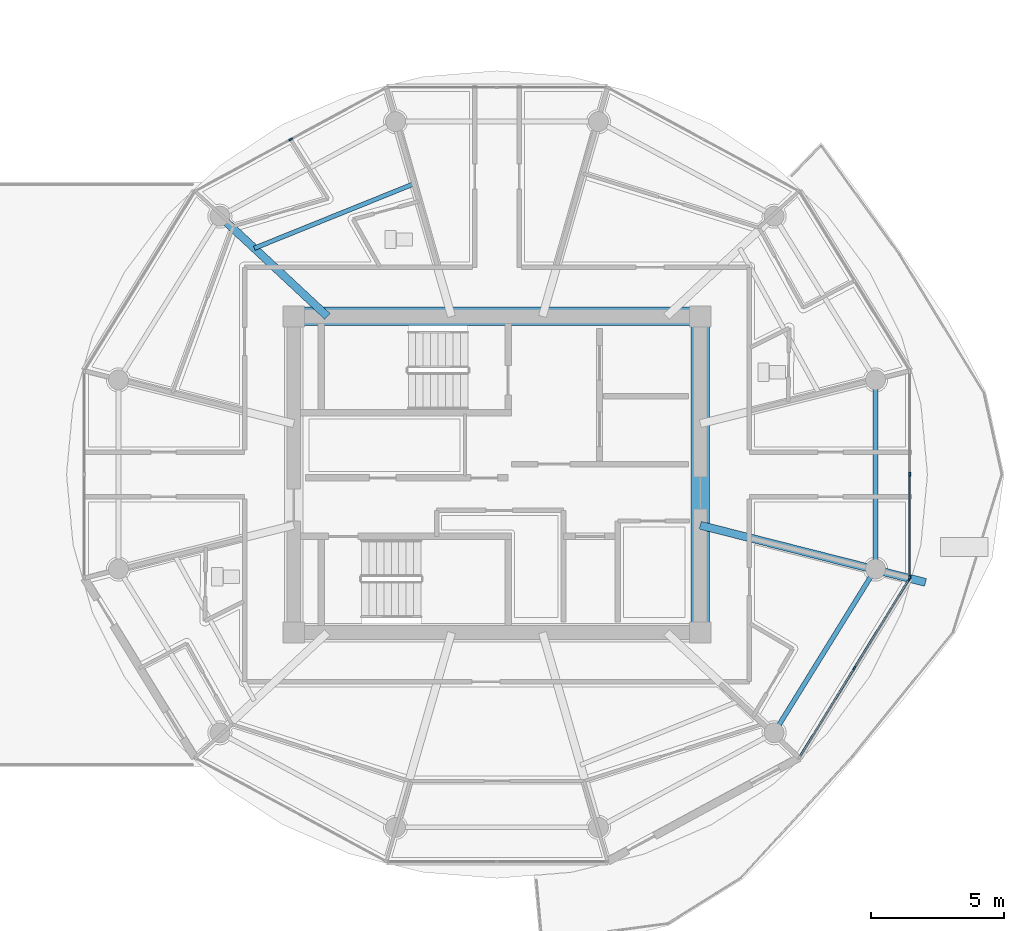
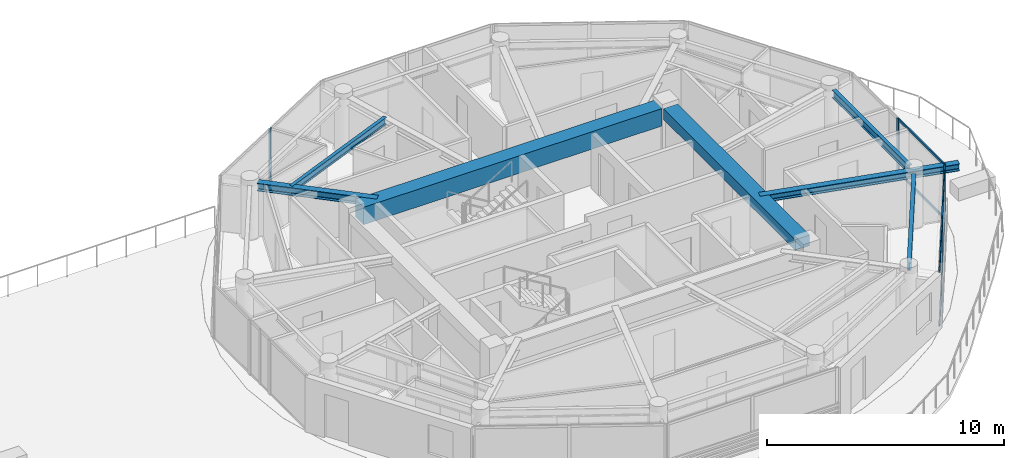
# One storey, part 9 of 30: 11 members, 7 beams, 3 elements without a shape of their own.
"""IFC4 building model written with IfcOpenShell, lengths in metres."""

from ifc_helpers import new_model, si_unit, direction, frame, origin, origin_2d, place, context, subcontext, project, spatial, rectangle, i_section, extrude, source, transform, mapped, material, layer, layer_set, material_profile, profile_set, type_object, type_shapes, element, aggregate, save


model = new_model("IFC4")

# Units and contexts
model_context = context("Model", 3, precision=1e-05, world=origin(), true_north=direction((0.0, 1.0)))
body_context = subcontext(model_context, "Body", "Model", "MODEL_VIEW")
ifc_project = project(units=[si_unit("LENGTHUNIT", "METRE"), si_unit("AREAUNIT", "SQUARE_METRE"), si_unit("VOLUMEUNIT", "CUBIC_METRE"), si_unit("PLANEANGLEUNIT", "RADIAN"), si_unit("MASSUNIT", "GRAM", prefix="KILO")], contexts=[model_context])

# Site, building, storey
site_placement = place(None, origin())
site = spatial("IfcSite", under=ifc_project, at=site_placement, CompositionType="ELEMENT")
building_placement = place(site_placement, origin())
building = spatial("IfcBuilding", under=site, at=building_placement, Name="Norrkilde Senior Care Towers", CompositionType="ELEMENT")
storey_placement = place(building_placement, frame((0.0, 0.0, 232.199951171875)))
storey = spatial("IfcBuildingStorey", under=building, at=storey_placement, Name="L72", CompositionType="ELEMENT", Elevation=232.199951171875)

# Beams
ifc_material_1 = material(Name="Concrete C60/75", Category="concrete")
ifc_material_profile_1 = material_profile(ifc_material_1, rectangle(XDim=0.699951171875, YDim=0.89990234375, at=origin_2d()), Name="RC BM 700x900")
ifc_profile_set_1 = profile_set([ifc_material_profile_1], Name="Concrete C60/75")
beam_type_1 = type_object("IfcBeamType", Name="Core Coupling Girder 700x900", PredefinedType="USERDEFINED", material=ifc_profile_set_1)
shared_shape_1 = source(origin(), body_context, "Body", "SweptSolid", [
    extrude(rectangle(XDim=0.699951171875, YDim=0.89990234375, at=origin_2d()), origin(), (0.0, 0.0, 1.0), 14.5400390625),
])
type_shapes(beam_type_1, [shared_shape_1])
beam_1_placement = place(storey_placement, frame((20.72998046875, 5.949951171875, 2.360107421875), z_axis=(1.0, 0.0, 0.0), x_axis=(0.0, 1.0, 0.0)))
element("IfcBeam", 1, at=beam_1_placement, inside=storey, type_object=beam_type_1, Name="L72 Core E N Coupling Girder", ObjectType="GIRDER", PredefinedType="USERDEFINED", context=body_context, shape_type="MappedRepresentation", body=[
    mapped(shared_shape_1, transform((0.0, 0.0, 0.0), x_axis=(1.0, 0.0, 0.0), y_axis=(0.0, 1.0, 0.0), z_axis=(0.0, 0.0, 1.0), scale=1.0)),
])
ifc_material_profile_2 = material_profile(ifc_material_1, rectangle(XDim=0.699951171875, YDim=0.550048828125, at=origin_2d()), Name="RC BM 700x550")
ifc_profile_set_2 = profile_set([ifc_material_profile_2], Name="Concrete C60/75")
beam_type_2 = type_object("IfcBeamType", Name="Core Portal Coupling Beam 700x550", PredefinedType="USERDEFINED", material=ifc_profile_set_2)
shared_shape_2 = source(origin(), body_context, "Body", "SweptSolid", [
    extrude(rectangle(XDim=0.699951171875, YDim=0.550048828125, at=origin_2d()), origin(), (0.0, 0.0, 1.0), 11.14013671875),
])
type_shapes(beam_type_2, [shared_shape_2])
beam_2_placement = place(storey_placement, frame((35.64990234375, -5.570068359375, 2.53515625), z_axis=(0.0, 1.0, 0.0), x_axis=(-1.0, 0.0, 0.0)))
element("IfcBeam", 2, at=beam_2_placement, inside=storey, type_object=beam_type_2, Name="L72 Core E E Coupling Girder", ObjectType="GIRDER", PredefinedType="USERDEFINED", context=body_context, shape_type="MappedRepresentation", body=[
    mapped(shared_shape_2, transform((0.0, 0.0, 0.0), x_axis=(1.0, 0.0, 0.0), y_axis=(0.0, 1.0, 0.0), z_axis=(0.0, 0.0, 1.0), scale=1.0)),
])
ifc_material_2 = material(Name="Steel S355", Category="steel")
ifc_material_profile_3 = material_profile(ifc_material_2, i_section(OverallWidth=0.179931640625, OverallDepth=0.39990234375, WebThickness=0.008544921875, FlangeThickness=0.013427734375, FilletRadius=0.02099609375, at=origin_2d()), Name="IPE 400")
ifc_profile_set_3 = profile_set([ifc_material_profile_3], Name="Steel S355")
beam_type_3 = type_object("IfcBeamType", Name="Perimeter Ring Spandrel Z4 IPE400", PredefinedType="SPANDREL", material=ifc_profile_set_3)
shared_shape_3 = source(origin(), body_context, "Body", "SweptSolid", [
    extrude(i_section(OverallWidth=0.179931640625, OverallDepth=0.39990234375, WebThickness=0.008544921875, FlangeThickness=0.013427734375, FilletRadius=0.02099609375, at=origin_2d()), origin(), (0.0, 0.0, 1.0), 6.58056640625),
])
beam_3_placement = place(storey_placement, frame((38.606201171875, -9.43798828125, 2.610107421875), z_axis=(0.526529583789, 0.850156807533, 0.0), x_axis=(-0.850156807533, 0.526529583789, 0.0)))
element("IfcBeam", 3, at=beam_3_placement, inside=storey, type_object=beam_type_3, Name="L72 Drum E Perimeter Spandrel 11", PredefinedType="SPANDREL", context=body_context, shape_type="MappedRepresentation", body=[
    mapped(shared_shape_3, transform((0.0, 0.0, 0.0), x_axis=(1.0, 0.0, 0.0), y_axis=(0.0, 1.0, 0.0), z_axis=(0.0, 0.0, 1.0), scale=1.0)),
])
ifc_material_profile_4 = material_profile(ifc_material_2, i_section(OverallWidth=0.300048828125, OverallDepth=0.39990234375, WebThickness=0.013427734375, FlangeThickness=0.02392578125, FilletRadius=0.027099609375, at=origin_2d()), Name="HEB 400")
ifc_profile_set_4 = profile_set([ifc_material_profile_4], Name="Steel S355")
beam_type_4 = type_object("IfcBeamType", Name="Radial Floor Beam Z4 HEB400", PredefinedType="BEAM", material=ifc_profile_set_4)
shared_shape_4 = source(origin(), body_context, "Body", "SweptSolid", [
    extrude(i_section(OverallWidth=0.300048828125, OverallDepth=0.39990234375, WebThickness=0.013427734375, FlangeThickness=0.02392578125, FilletRadius=0.027099609375, at=origin_2d()), origin(), (0.0, 0.0, 1.0), 5.197998046875),
])
type_shapes(beam_type_4, [shared_shape_4])
beam_4_placement = place(storey_placement, frame((21.6171875, 5.949951171875, 2.610107421875), z_axis=(-0.731448749334, 0.681896419625, 0.0), x_axis=(-0.681896419625, -0.731448749334, 0.0)))
element("IfcBeam", 4, at=beam_4_placement, inside=storey, type_object=beam_type_4, Name="L72 Drum E Radial Floor Beam 05", PredefinedType="BEAM", context=body_context, shape_type="MappedRepresentation", body=[
    mapped(shared_shape_4, transform((0.0, 0.0, 0.0), x_axis=(1.0, 0.0, 0.0), y_axis=(0.0, 1.0, 0.0), z_axis=(0.0, 0.0, 1.0), scale=1.0)),
])
shared_shape_5 = source(origin(), body_context, "Body", "SweptSolid", [
    extrude(i_section(OverallWidth=0.179931640625, OverallDepth=0.39990234375, WebThickness=0.008544921875, FlangeThickness=0.013427734375, FilletRadius=0.02099609375, at=origin_2d()), origin(), (0.0, 0.0, 1.0), 6.44775390625),
])
type_shapes(beam_type_3, [shared_shape_3, shared_shape_5])
beam_5_placement = place(storey_placement, frame((42.247314453125, -3.223876953125, 2.610107421875), z_axis=(0.0, 1.0, 0.0), x_axis=(-1.0, 0.0, 0.0)))
element("IfcBeam", 5, at=beam_5_placement, inside=storey, type_object=beam_type_3, Name="L72 Drum E Perimeter Spandrel 12", PredefinedType="SPANDREL", context=body_context, shape_type="MappedRepresentation", body=[
    mapped(shared_shape_5, transform((0.0, 0.0, 0.0), x_axis=(1.0, 0.0, 0.0), y_axis=(0.0, 1.0, 0.0), z_axis=(0.0, 0.0, 1.0), scale=1.0)),
])
ifc_material_profile_5 = material_profile(ifc_material_2, i_section(OverallWidth=0.169921875, OverallDepth=0.360107421875, WebThickness=0.008056640625, FlangeThickness=0.0126953125, FilletRadius=0.01806640625, at=origin_2d()), Name="IPE 360")
ifc_profile_set_5 = profile_set([ifc_material_profile_5], Name="Steel S355")
beam_type_5 = type_object("IfcBeamType", Name="Secondary Floor Joist IPE360", PredefinedType="JOIST", material=ifc_profile_set_5)
shared_shape_6 = source(origin(), body_context, "Body", "SweptSolid", [
    extrude(i_section(OverallWidth=0.169921875, OverallDepth=0.360107421875, WebThickness=0.008056640625, FlangeThickness=0.0126953125, FilletRadius=0.01806640625, at=origin_2d()), origin(), (0.0, 0.0, 1.0), 6.461669921875),
])
type_shapes(beam_type_5, [shared_shape_6])
beam_6_placement = place(storey_placement, frame((24.856689453125, 10.935302734375, 2.630126953125), z_axis=(-0.927225942298, -0.374502405772, 0.0), x_axis=(0.374502405772, -0.927225942298, 0.0)))
element("IfcBeam", 6, at=beam_6_placement, inside=storey, type_object=beam_type_5, Name="L72 Drum E Secondary Floor Joist 2", PredefinedType="JOIST", context=body_context, shape_type="MappedRepresentation", body=[
    mapped(shared_shape_6, transform((0.0, 0.0, 0.0), x_axis=(1.0, 0.0, 0.0), y_axis=(0.0, 1.0, 0.0), z_axis=(0.0, 0.0, 1.0), scale=1.0)),
])
ifc_material_profile_6 = material_profile(ifc_material_2, i_section(OverallWidth=0.300048828125, OverallDepth=0.360107421875, WebThickness=0.012451171875, FlangeThickness=0.0224609375, FilletRadius=0.027099609375, at=origin_2d()), Name="HEB 360")
ifc_profile_set_6 = profile_set([ifc_material_profile_6], Name="Steel S355")
beam_type_6 = type_object("IfcBeamType", Name="Balcony Crest Cantilever Rib HEB360", PredefinedType="BEAM", material=ifc_profile_set_6)
shared_shape_7 = source(origin(), body_context, "Body", "SweptSolid", [
    extrude(i_section(OverallWidth=0.300048828125, OverallDepth=0.360107421875, WebThickness=0.012451171875, FlangeThickness=0.0224609375, FilletRadius=0.027099609375, at=origin_2d()), origin(), (0.0, 0.0, 1.0), 8.749755859375),
])
type_shapes(beam_type_6, [shared_shape_7])
beam_7_placement = place(storey_placement, frame((35.64990234375, -1.910888671875, 2.630126953125), z_axis=(0.969266368231, -0.246013632584, 0.0), x_axis=(0.246013632584, 0.969266368231, 0.0)))
element("IfcBeam", 7, at=beam_7_placement, inside=storey, type_object=beam_type_6, Name="L72 Drum E Balcony Cantilever Rib", PredefinedType="BEAM", context=body_context, shape_type="MappedRepresentation", body=[
    mapped(shared_shape_7, transform((0.0, 0.0, 0.0), x_axis=(1.0, 0.0, 0.0), y_axis=(0.0, 1.0, 0.0), z_axis=(0.0, 0.0, 1.0), scale=1.0)),
])

# Curtain wall, member
ifc_material_3 = material(Name="Triple Low-E Insulated Glazing", Category="glass")
ifc_layer = layer(ifc_material_3, 0.18505859375)
ifc_layer_set = layer_set([ifc_layer], Name="Triple Low-E Insulated Glazing")
curtain_wall_type = type_object("IfcCurtainWallType", Name="CW6 Zone 4 Crown Pavilion Curtain Wall", PredefinedType="NOTDEFINED", material=ifc_layer_set)
curtain_wall_1_placement = place(storey_placement, origin())
curtain_wall_1 = element("IfcCurtainWall", 8, at=curtain_wall_1_placement, inside=storey, type_object=curtain_wall_type, Name="L72 Drum E Curtain Wall 03", PredefinedType="NOTDEFINED")
ifc_material_4 = material(Name="Anodised Aluminium", Category="aluminium")
ifc_material_profile_7 = material_profile(ifc_material_4, rectangle(XDim=0.06494140625, YDim=0.14990234375, at=origin_2d()), Name="ALU MULL 65x150")
ifc_profile_set_7 = profile_set([ifc_material_profile_7], Name="Anodised Aluminium")
member_type_1 = type_object("IfcMemberType", Name="Curtain Wall Mullion Z3-Z4 65x150", PredefinedType="MULLION", material=ifc_profile_set_7)
shared_shape_8 = source(origin(), body_context, "Body", "SweptSolid", [
    extrude(rectangle(XDim=0.06494140625, YDim=0.14990234375, at=origin_2d()), origin(), (0.0, 0.0, 1.0), 2.81005859375),
])
type_shapes(member_type_1, [shared_shape_8])
member_1_placement = place(storey_placement, frame((20.23388671875, 12.61474609375, 0.0), z_axis=(0.0, 0.0, 1.0), x_axis=(-0.476132676136, 0.879373455772, 0.0)))
member_1 = element("IfcMember", 9, at=member_1_placement, type_object=member_type_1, Name="CW-6 mullion 2", PredefinedType="MULLION", context=body_context, shape_type="MappedRepresentation", body=[
    mapped(shared_shape_8, transform((0.0, 0.0, 0.0), x_axis=(1.0, 0.0, 0.0), y_axis=(0.0, 1.0, 0.0), z_axis=(0.0, 0.0, 1.0), scale=1.0)),
])
aggregate(curtain_wall_1, [member_1])

# Curtain wall, members
curtain_wall_2_placement = place(storey_placement, origin())
curtain_wall_2 = element("IfcCurtainWall", 10, at=curtain_wall_2_placement, inside=storey, type_object=curtain_wall_type, Name="L72 Drum E Curtain Wall 10", PredefinedType="NOTDEFINED")
member_2_placement = place(storey_placement, frame((43.51513671875, -3.9306640625, 0.0), z_axis=(0.0, 0.0, 1.0), x_axis=(0.851562727283, -0.524252726748, 0.0)))
member_2 = element("IfcMember", 11, at=member_2_placement, type_object=member_type_1, Name="CW-6 mullion 1", PredefinedType="MULLION", context=body_context, shape_type="MappedRepresentation", body=[
    mapped(shared_shape_8, transform((0.0, 0.0, 0.0), x_axis=(1.0, 0.0, 0.0), y_axis=(0.0, 1.0, 0.0), z_axis=(0.0, 0.0, 1.0), scale=1.0)),
])
member_3_placement = place(storey_placement, frame((41.451171875, -7.282958984375, 0.0), z_axis=(0.0, 0.0, 1.0), x_axis=(0.851562727283, -0.524252726748, 0.0)))
member_3 = element("IfcMember", 12, at=member_3_placement, type_object=member_type_1, Name="CW-6 mullion 2", PredefinedType="MULLION", context=body_context, shape_type="MappedRepresentation", body=[
    mapped(shared_shape_8, transform((0.0, 0.0, 0.0), x_axis=(1.0, 0.0, 0.0), y_axis=(0.0, 1.0, 0.0), z_axis=(0.0, 0.0, 1.0), scale=1.0)),
])

curtain_wall_3_placement = place(storey_placement, origin())
curtain_wall_3 = element("IfcCurtainWall", 13, at=curtain_wall_3_placement, inside=storey, type_object=curtain_wall_type, Name="L72 Drum E Curtain Wall 11", PredefinedType="NOTDEFINED")
member_4_placement = place(storey_placement, frame((43.531982421875, 0.0, 0.0), z_axis=(0.0, 0.0, 1.0), x_axis=(1.0, 0.0, 0.0)))
member_4 = element("IfcMember", 14, at=member_4_placement, type_object=member_type_1, Name="CW-6 mullion 2", PredefinedType="MULLION", context=body_context, shape_type="MappedRepresentation", body=[
    mapped(shared_shape_8, transform((0.0, 0.0, 0.0), x_axis=(1.0, 0.0, 0.0), y_axis=(0.0, 1.0, 0.0), z_axis=(0.0, 0.0, 1.0), scale=1.0)),
])
member_5_placement = place(storey_placement, frame((43.531982421875, -3.87060546875, 0.0), z_axis=(0.0, 0.0, 1.0), x_axis=(1.0, 0.0, 0.0)))
member_5 = element("IfcMember", 15, at=member_5_placement, type_object=member_type_1, Name="CW-6 mullion 3", PredefinedType="MULLION", context=body_context, shape_type="MappedRepresentation", body=[
    mapped(shared_shape_8, transform((0.0, 0.0, 0.0), x_axis=(1.0, 0.0, 0.0), y_axis=(0.0, 1.0, 0.0), z_axis=(0.0, 0.0, 1.0), scale=1.0)),
])

# Member
ifc_material_profile_8 = material_profile(ifc_material_4, rectangle(XDim=0.06005859375, YDim=0.1201171875, at=origin_2d()), Name="ALU TRAN 60x120")
ifc_profile_set_8 = profile_set([ifc_material_profile_8], Name="Anodised Aluminium")
member_type_2 = type_object("IfcMemberType", Name="Curtain Wall Transom Typical 60x120", PredefinedType="USERDEFINED", material=ifc_profile_set_8)
shared_shape_9 = source(origin(), body_context, "Body", "SweptSolid", [
    extrude(rectangle(XDim=0.06005859375, YDim=0.1201171875, at=origin_2d()), origin(), (0.0, 0.0, 1.0), 3.871826171875),
])
member_6_placement = place(storey_placement, frame((43.498046875, -3.958251953125, 0.030029296875), z_axis=(-0.524245179227, -0.851567373763, 0.0), x_axis=(0.851567373763, -0.524245179227, 0.0)))
member_6 = element("IfcMember", 16, at=member_6_placement, type_object=member_type_2, Name="CW-6 transom 1.1", ObjectType="TRANSOM", PredefinedType="USERDEFINED", context=body_context, shape_type="MappedRepresentation", body=[
    mapped(shared_shape_9, transform((0.0, 0.0, 0.0), x_axis=(1.0, 0.0, 0.0), y_axis=(0.0, 1.0, 0.0), z_axis=(0.0, 0.0, 1.0), scale=1.0)),
])

member_7_placement = place(storey_placement, frame((43.498046875, -3.958251953125, 2.780029296875), z_axis=(-0.524245179227, -0.851567373763, 0.0), x_axis=(0.851567373763, -0.524245179227, 0.0)))
member_7 = element("IfcMember", 17, at=member_7_placement, type_object=member_type_2, Name="CW-6 transom 1.2", ObjectType="TRANSOM", PredefinedType="USERDEFINED", context=body_context, shape_type="MappedRepresentation", body=[
    mapped(shared_shape_9, transform((0.0, 0.0, 0.0), x_axis=(1.0, 0.0, 0.0), y_axis=(0.0, 1.0, 0.0), z_axis=(0.0, 0.0, 1.0), scale=1.0)),
])

member_8_placement = place(storey_placement, frame((41.43408203125, -7.310791015625, 0.030029296875), z_axis=(-0.524245179227, -0.851567373763, 0.0), x_axis=(0.851567373763, -0.524245179227, 0.0)))
member_8 = element("IfcMember", 18, at=member_8_placement, type_object=member_type_2, Name="CW-6 transom 2.1", ObjectType="TRANSOM", PredefinedType="USERDEFINED", context=body_context, shape_type="MappedRepresentation", body=[
    mapped(shared_shape_9, transform((0.0, 0.0, 0.0), x_axis=(1.0, 0.0, 0.0), y_axis=(0.0, 1.0, 0.0), z_axis=(0.0, 0.0, 1.0), scale=1.0)),
])

member_9_placement = place(storey_placement, frame((41.43408203125, -7.310791015625, 2.780029296875), z_axis=(-0.524245179227, -0.851567373763, 0.0), x_axis=(0.851567373763, -0.524245179227, 0.0)))
member_9 = element("IfcMember", 19, at=member_9_placement, type_object=member_type_2, Name="CW-6 transom 2.2", ObjectType="TRANSOM", PredefinedType="USERDEFINED", context=body_context, shape_type="MappedRepresentation", body=[
    mapped(shared_shape_9, transform((0.0, 0.0, 0.0), x_axis=(1.0, 0.0, 0.0), y_axis=(0.0, 1.0, 0.0), z_axis=(0.0, 0.0, 1.0), scale=1.0)),
])

aggregate(curtain_wall_2, [member_2, member_3, member_6, member_7, member_8, member_9])

shared_shape_10 = source(origin(), body_context, "Body", "SweptSolid", [
    extrude(rectangle(XDim=0.06005859375, YDim=0.1201171875, at=origin_2d()), origin(), (0.0, 0.0, 1.0), 3.805419921875),
])
type_shapes(member_type_2, [shared_shape_9, shared_shape_10])
member_10_placement = place(storey_placement, frame((43.531982421875, -0.032470703125, 0.030029296875), z_axis=(0.0, -1.0, 0.0), x_axis=(1.0, 0.0, 0.0)))
member_10 = element("IfcMember", 20, at=member_10_placement, type_object=member_type_2, Name="CW-6 transom 2.1", ObjectType="TRANSOM", PredefinedType="USERDEFINED", context=body_context, shape_type="MappedRepresentation", body=[
    mapped(shared_shape_10, transform((0.0, 0.0, 0.0), x_axis=(1.0, 0.0, 0.0), y_axis=(0.0, 1.0, 0.0), z_axis=(0.0, 0.0, 1.0), scale=1.0)),
])

member_11_placement = place(storey_placement, frame((43.531982421875, -0.032470703125, 2.780029296875), z_axis=(0.0, -1.0, 0.0), x_axis=(1.0, 0.0, 0.0)))
member_11 = element("IfcMember", 21, at=member_11_placement, type_object=member_type_2, Name="CW-6 transom 2.2", ObjectType="TRANSOM", PredefinedType="USERDEFINED", context=body_context, shape_type="MappedRepresentation", body=[
    mapped(shared_shape_10, transform((0.0, 0.0, 0.0), x_axis=(1.0, 0.0, 0.0), y_axis=(0.0, 1.0, 0.0), z_axis=(0.0, 0.0, 1.0), scale=1.0)),
])

aggregate(curtain_wall_3, [member_4, member_5, member_10, member_11])

save(model, "model.ifc")
